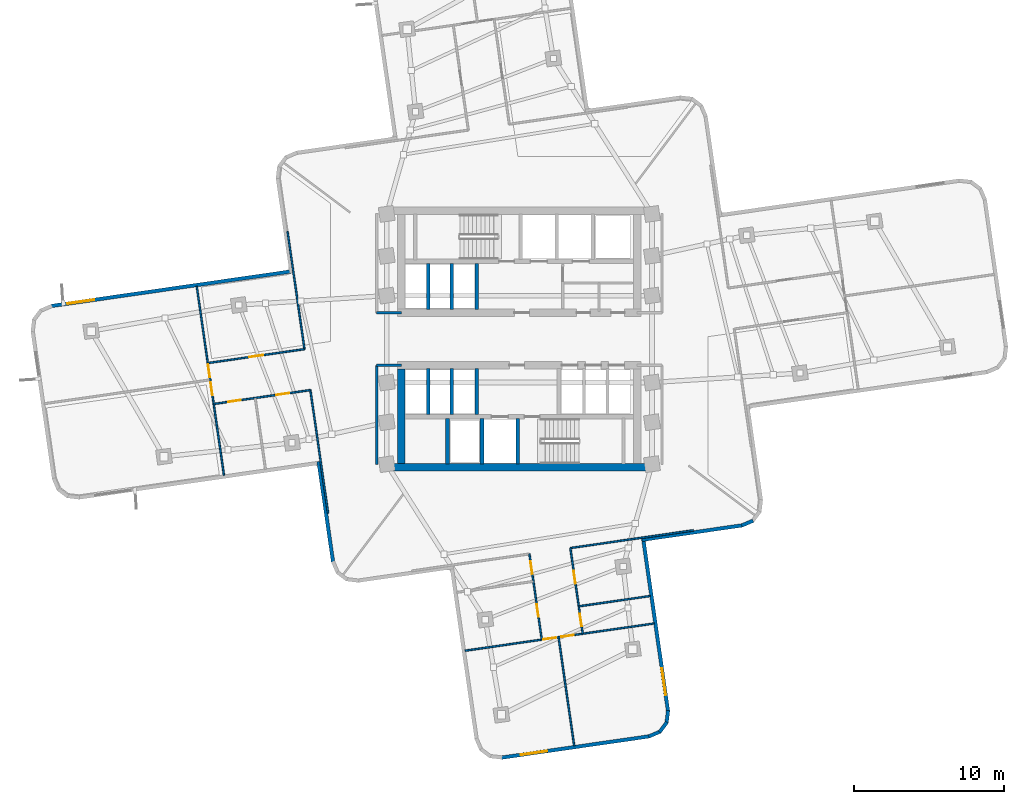
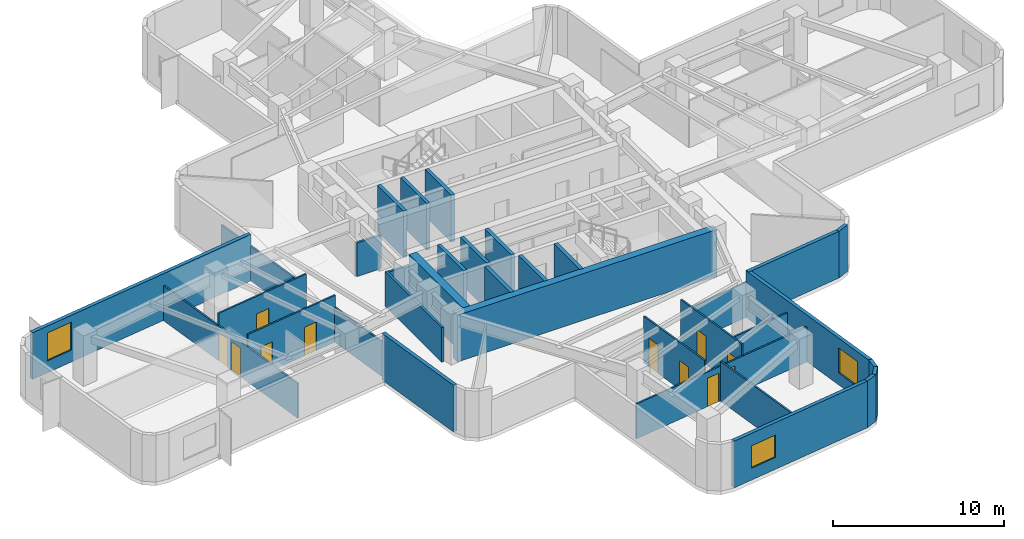
# One storey, part 3 of 10: 34 walls, 11 doors, 3 windows, 14 openings.
"""IFC4 building model written with IfcOpenShell, lengths in metres."""

from ifc_helpers import new_model, si_unit, direction, frame, frame_2d, origin, place, context, subcontext, project, spatial, rectangle, extrude, material, layer, layer_set, type_object, element, fill, save


model = new_model("IFC4")

# Units and contexts
model_context = context("Model", 3, precision=1e-05, world=origin(), true_north=direction((0.0, 1.0)))
body_context = subcontext(model_context, "Body", "Model", "MODEL_VIEW")
ifc_project = project(units=[si_unit("LENGTHUNIT", "METRE"), si_unit("AREAUNIT", "SQUARE_METRE"), si_unit("VOLUMEUNIT", "CUBIC_METRE"), si_unit("PLANEANGLEUNIT", "RADIAN"), si_unit("MASSUNIT", "GRAM", prefix="KILO")], contexts=[model_context])

# Site, building, storey
site_placement = place(None, origin())
site = spatial("IfcSite", under=ifc_project, at=site_placement, CompositionType="ELEMENT")
building_placement = place(site_placement, origin())
building = spatial("IfcBuilding", under=site, at=building_placement, Name="Solmarez Civic Tower", CompositionType="ELEMENT")
storey_placement = place(building_placement, frame((0.0, 0.0, 85.679931640625)))
storey = spatial("IfcBuildingStorey", under=building, at=storey_placement, Name="L22", CompositionType="ELEMENT", Elevation=85.679931640625)

# Walls
ifc_material_1 = material(Name="Concrete C60/75", Category="concrete")
ifc_layer_1 = layer(ifc_material_1, 0.5)
ifc_layer_set_1 = layer_set([ifc_layer_1], Name="Concrete C60/75")
wall_type_1 = type_object("IfcWallType", Name="WALL-CORE-500", PredefinedType="SHEAR", material=ifc_layer_set_1)
wall_1_placement = place(storey_placement, frame((8.780029296875, -8.56005859375, 0.0), z_axis=(0.0, 0.0, 1.0), x_axis=(-1.0, 0.0, 0.0)))
element("IfcWall", 1, at=wall_1_placement, inside=storey, type_object=wall_type_1, Name="L22 Split-Core Structural Wall SCW-S-L22", PredefinedType="SHEAR", context=body_context, shape_type="SweptSolid", body=[
    extrude(rectangle(XDim=17.56005859375, YDim=0.5, at=frame_2d((8.780029296875, 0.0))), origin(), (0.0, 0.0, 1.0), 3.340087890625),
])
wall_2_placement = place(storey_placement, frame((-7.8701171875, -8.31005859375, 0.0), z_axis=(0.0, 0.0, 1.0), x_axis=(0.0, 1.0, 0.0)))
element("IfcWall", 2, at=wall_2_placement, inside=storey, type_object=wall_type_1, Name="L22 Split-Core Structural Wall SCW-W-L22", PredefinedType="SHEAR", context=body_context, shape_type="SweptSolid", body=[
    extrude(rectangle(XDim=6.31005859375, YDim=0.5, at=frame_2d((3.155029296875, 0.0))), origin(), (0.0, 0.0, 1.0), 3.340087890625),
])

# Wall, opening, window
ifc_material_2 = material(Name="Precast concrete C40/50", Category="concrete")
ifc_layer_2 = layer(ifc_material_2, 0.239990234375)
ifc_layer_set_2 = layer_set([ifc_layer_2], Name="Precast concrete C40/50")
wall_type_2 = type_object("IfcWallType", Name="WALL-EXT-240", PredefinedType="SOLIDWALL", material=ifc_layer_set_2)
wall_3_placement = place(storey_placement, frame((-31.243896484375, 2.2060546875, 0.0), z_axis=(0.0, 0.0, 1.0), x_axis=(0.989771419035, 0.142662321802, 0.0)))
wall_3 = element("IfcWall", 3, at=wall_3_placement, inside=storey, type_object=wall_type_2, Name="L22 Exterior Precast Wall 10", PredefinedType="SOLIDWALL", context=body_context, shape_type="SweptSolid", body=[
    extrude(rectangle(XDim=16.2763671875, YDim=0.239990234375, at=frame_2d((8.13818359375, 0.0))), origin(), (0.0, 0.0, 1.0), 3.340087890625),
])
opening_1_placement = place(wall_3_placement, frame((1.10009765625, 0.0, 0.85009765625)))
opening_1 = element("IfcOpeningElement", 4, at=opening_1_placement, cuts=wall_3, Name="Opening W-04", PredefinedType="OPENING", context=body_context, shape_type="SweptSolid", body=[
    extrude(rectangle(XDim=1.800048828125, YDim=2.0, at=frame_2d((0.89990234375, 1.0))), frame((0.0, 0.1298828125, 0.0), z_axis=(0.0, -1.0, 0.0), x_axis=(1.0, 0.0, 0.0)), (0.0, 0.0, 1.0), 0.260009765625),
])
ifc_material_3 = material(Name="Solar Control Bronze-Tinted Insulating Glass", Category="glass")
window_type_1 = type_object("IfcWindowType", Name="WIN-1800X2000", PartitioningType="SINGLE_PANEL", PredefinedType="WINDOW", material=ifc_material_3)
window_1_placement = place(opening_1_placement, origin())
window_1 = element("IfcWindow", 5, at=window_1_placement, inside=storey, type_object=window_type_1, Name="L22 Exterior Facade Window 10", OverallHeight=2.0, OverallWidth=1.800048828125, PartitioningType="SINGLE_PANEL", PredefinedType="WINDOW", context=body_context, shape_type="SweptSolid", body=[
    extrude(rectangle(XDim=1.800048828125, YDim=2.0, at=frame_2d((0.89990234375, 1.0))), frame((0.0, 0.030029296875, 0.0), z_axis=(0.0, -1.0, 0.0), x_axis=(1.0, 0.0, 0.0)), (0.0, 0.0, 1.0), 0.06005859375),
])
fill(opening_1, window_1)

# Walls
wall_4_placement = place(storey_placement, frame((15.60009765625, -12.1201171875, 0.0), z_axis=(0.0, 0.0, 1.0), x_axis=(-0.918795004047, -0.394735025731, 0.0)))
element("IfcWall", 6, at=wall_4_placement, inside=storey, type_object=wall_type_2, Name="L22 Exterior Precast Wall 52", PredefinedType="SOLIDWALL", context=body_context, shape_type="SweptSolid", body=[
    extrude(rectangle(XDim=0.83056640625, YDim=0.239990234375, at=frame_2d((0.415283203125, 0.0))), origin(), (0.0, 0.0, 1.0), 3.340087890625),
])
wall_5_placement = place(storey_placement, frame((14.885009765625, -12.43408203125, 0.0), z_axis=(0.0, 0.0, 1.0), x_axis=(-0.989767068769, -0.142692500085, 0.0)))
element("IfcWall", 7, at=wall_5_placement, inside=storey, type_object=wall_type_2, Name="L22 Exterior Precast Wall 53", PredefinedType="SOLIDWALL", context=body_context, shape_type="SweptSolid", body=[
    extrude(rectangle(XDim=6.775390625, YDim=0.239990234375, at=frame_2d((3.3876953125, 0.0))), origin(), (0.0, 0.0, 1.0), 3.340087890625),
])

# Wall, opening, window
wall_6_placement = place(storey_placement, frame((8.260009765625, -13.2919921875, 0.0), z_axis=(0.0, 0.0, 1.0), x_axis=(0.142694701612, -0.989766751377, 0.0)))
wall_6 = element("IfcWall", 8, at=wall_6_placement, inside=storey, type_object=wall_type_2, Name="L22 Exterior Precast Wall 56", PredefinedType="SOLIDWALL", context=body_context, shape_type="SweptSolid", body=[
    extrude(rectangle(XDim=11.67529296875, YDim=0.239990234375, at=frame_2d((5.837646484375, 0.0))), origin(), (0.0, 0.0, 1.0), 3.340087890625),
])
opening_2_placement = place(wall_6_placement, frame((8.77490234375, 0.0, 0.85009765625)))
opening_2 = element("IfcOpeningElement", 9, at=opening_2_placement, cuts=wall_6, Name="Opening W-08", PredefinedType="OPENING", context=body_context, shape_type="SweptSolid", body=[
    extrude(rectangle(XDim=1.800048828125, YDim=1.800048828125, at=frame_2d((0.89990234375, 0.89990234375))), frame((0.0, 0.1298828125, 0.0), z_axis=(0.0, -1.0, 0.0), x_axis=(1.0, 0.0, 0.0)), (0.0, 0.0, 1.0), 0.260009765625),
])
window_type_2 = type_object("IfcWindowType", Name="WIN-1800X1800", PartitioningType="SINGLE_PANEL", PredefinedType="WINDOW", material=ifc_material_3)
window_2_placement = place(opening_2_placement, origin())
window_2 = element("IfcWindow", 10, at=window_2_placement, inside=storey, type_object=window_type_2, Name="L22 Exterior Facade Window 56", OverallHeight=1.800048828125, OverallWidth=1.800048828125, PartitioningType="SINGLE_PANEL", PredefinedType="WINDOW", context=body_context, shape_type="SweptSolid", body=[
    extrude(rectangle(XDim=1.800048828125, YDim=1.800048828125, at=frame_2d((0.89990234375, 0.89990234375))), frame((0.0, 0.030029296875, 0.0), z_axis=(0.0, -1.0, 0.0), x_axis=(1.0, 0.0, 0.0)), (0.0, 0.0, 1.0), 0.06005859375),
])
fill(opening_2, window_2)

# Walls
wall_7_placement = place(storey_placement, frame((9.925048828125, -24.798095703125, 0.0), z_axis=(0.0, 0.0, 1.0), x_axis=(-0.118136998224, -0.992997305963, 0.0)))
element("IfcWall", 11, at=wall_7_placement, inside=storey, type_object=wall_type_2, Name="L22 Exterior Precast Wall 57", PredefinedType="SOLIDWALL", context=body_context, shape_type="SweptSolid", body=[
    extrude(rectangle(XDim=0.830810546875, YDim=0.239990234375, at=frame_2d((0.41552734375, 0.0))), origin(), (0.0, 0.0, 1.0), 3.340087890625),
])
wall_8_placement = place(storey_placement, frame((9.844970703125, -25.577880859375, 0.0), z_axis=(0.0, 0.0, 1.0), x_axis=(-0.599759949003, -0.800179981986, 0.0)))
element("IfcWall", 12, at=wall_8_placement, inside=storey, type_object=wall_type_2, Name="L22 Exterior Precast Wall 58", PredefinedType="SOLIDWALL", context=body_context, shape_type="SweptSolid", body=[
    extrude(rectangle(XDim=0.813720703125, YDim=0.239990234375, at=frame_2d((0.40673828125, 0.0))), origin(), (0.0, 0.0, 1.0), 3.340087890625),
])
wall_9_placement = place(storey_placement, frame((9.39501953125, -26.198974609375, 0.0), z_axis=(0.0, 0.0, 1.0), x_axis=(-0.91864251547, -0.395089773053, 0.0)))
element("IfcWall", 13, at=wall_9_placement, inside=storey, type_object=wall_type_2, Name="L22 Exterior Precast Wall 59", PredefinedType="SOLIDWALL", context=body_context, shape_type="SweptSolid", body=[
    extrude(rectangle(XDim=0.83056640625, YDim=0.239990234375, at=frame_2d((0.415283203125, 0.0))), origin(), (0.0, 0.0, 1.0), 3.340087890625),
])

# Wall, opening, window
wall_10_placement = place(storey_placement, frame((8.679931640625, -26.512939453125, 0.0), z_axis=(0.0, 0.0, 1.0), x_axis=(-0.98976517122, -0.142705661552, 0.0)))
wall_10 = element("IfcWall", 14, at=wall_10_placement, inside=storey, type_object=wall_type_2, Name="L22 Exterior Precast Wall 60", PredefinedType="SOLIDWALL", context=body_context, shape_type="SweptSolid", body=[
    extrude(rectangle(XDim=9.97900390625, YDim=0.239990234375, at=frame_2d((4.989501953125, 0.0))), origin(), (0.0, 0.0, 1.0), 3.340087890625),
])
opening_3_placement = place(wall_10_placement, frame((6.884033203125, 0.0, 0.85009765625)))
opening_3 = element("IfcOpeningElement", 15, at=opening_3_placement, cuts=wall_10, Name="Opening W-12", PredefinedType="OPENING", context=body_context, shape_type="SweptSolid", body=[
    extrude(rectangle(XDim=1.800048828125, YDim=1.60009765625, at=frame_2d((0.89990234375, 0.800048828125))), frame((0.0, 0.1298828125, 0.0), z_axis=(0.0, -1.0, 0.0), x_axis=(1.0, 0.0, 0.0)), (0.0, 0.0, 1.0), 0.260009765625),
])
window_type_3 = type_object("IfcWindowType", Name="WIN-1800X1600", PartitioningType="SINGLE_PANEL", PredefinedType="WINDOW", material=ifc_material_3)
window_3_placement = place(opening_3_placement, origin())
window_3 = element("IfcWindow", 16, at=window_3_placement, inside=storey, type_object=window_type_3, Name="L22 Exterior Facade Window 60", OverallHeight=1.60009765625, OverallWidth=1.800048828125, PartitioningType="SINGLE_PANEL", PredefinedType="WINDOW", context=body_context, shape_type="SweptSolid", body=[
    extrude(rectangle(XDim=1.800048828125, YDim=1.60009765625, at=frame_2d((0.89990234375, 0.800048828125))), frame((0.0, 0.030029296875, 0.0), z_axis=(0.0, -1.0, 0.0), x_axis=(1.0, 0.0, 0.0)), (0.0, 0.0, 1.0), 0.06005859375),
])
fill(opening_3, window_3)

# Walls
wall_11_placement = place(storey_placement, frame((-12.43408203125, -14.885009765625, 0.0), z_axis=(0.0, 0.0, 1.0), x_axis=(-0.142692500085, 0.989767068769, 0.0)))
element("IfcWall", 17, at=wall_11_placement, inside=storey, type_object=wall_type_2, Name="L22 Exterior Precast Wall 71", PredefinedType="SOLIDWALL", context=body_context, shape_type="SweptSolid", body=[
    extrude(rectangle(XDim=6.775390625, YDim=0.239990234375, at=frame_2d((3.3876953125, 0.0))), origin(), (0.0, 0.0, 1.0), 3.340087890625),
])
ifc_material_4 = material(Name="Gypsum Board Acoustic Steel-Stud Partition", Category="steel")
ifc_layer_3 = layer(ifc_material_4, 0.14990234375)
ifc_layer_set_3 = layer_set([ifc_layer_3], Name="Gypsum Board Acoustic Steel-Stud Partition")
wall_type_3 = type_object("IfcWallType", Name="WALL-INT-FIRE-150", PredefinedType="PARTITIONING", material=ifc_layer_set_3)
wall_12_placement = place(storey_placement, frame((-7.85009765625, 1.75, 0.0), z_axis=(0.0, 0.0, 1.0), x_axis=(-1.0, 0.0, 0.0)))
element("IfcWall", 18, at=wall_12_placement, inside=storey, type_object=wall_type_3, Name="L22 Interior Partition CHW-L22-WN3", PredefinedType="PARTITIONING", context=body_context, shape_type="SweptSolid", body=[
    extrude(rectangle(XDim=1.669921875, YDim=0.14990234375, at=frame_2d((0.8349609375, 0.0))), origin(), (0.0, 0.0, 1.0), 2.405029296875),
])
wall_13_placement = place(storey_placement, frame((-9.52001953125, -8.3798828125, 0.0), z_axis=(0.0, 0.0, 1.0), x_axis=(0.0, 1.0, 0.0)))
element("IfcWall", 19, at=wall_13_placement, inside=storey, type_object=wall_type_3, Name="L22 Interior Partition CHW-L22-WS1", PredefinedType="PARTITIONING", context=body_context, shape_type="SweptSolid", body=[
    extrude(rectangle(XDim=6.6298828125, YDim=0.14990234375, at=frame_2d((3.31494140625, 0.0))), origin(), (0.0, 0.0, 1.0), 2.486083984375),
])
wall_14_placement = place(storey_placement, frame((-7.85009765625, -1.75, 0.0), z_axis=(0.0, 0.0, 1.0), x_axis=(-1.0, 0.0, 0.0)))
element("IfcWall", 20, at=wall_14_placement, inside=storey, type_object=wall_type_3, Name="L22 Interior Partition CHW-L22-WS3", PredefinedType="PARTITIONING", context=body_context, shape_type="SweptSolid", body=[
    extrude(rectangle(XDim=1.669921875, YDim=0.14990234375, at=frame_2d((0.8349609375, 0.0))), origin(), (0.0, 0.0, 1.0), 2.405029296875),
])
ifc_layer_4 = layer(ifc_material_4, 0.110107421875)
ifc_layer_set_4 = layer_set([ifc_layer_4], Name="Gypsum Board Acoustic Steel-Stud Partition")
wall_type_4 = type_object("IfcWallType", Name="WALL-INT-PART-110", PredefinedType="PARTITIONING", material=ifc_layer_set_4)
wall_15_placement = place(storey_placement, frame((-13.948974609375, -3.39404296875, 0.0), z_axis=(0.0, 0.0, 1.0), x_axis=(0.142725091033, -0.989762369657, 0.0)))
element("IfcWall", 21, at=wall_15_placement, inside=storey, type_object=wall_type_4, Name="L22 Interior Partition PT-L22-W-EFL", PredefinedType="PARTITIONING", context=body_context, shape_type="SweptSolid", body=[
    extrude(rectangle(XDim=8.309814453125, YDim=0.110107421875, at=frame_2d((4.15478515625, 0.0))), origin(), (0.0, 0.0, 1.0), 2.486083984375),
])
wall_16_placement = place(storey_placement, frame((-15.47412109375, 7.18603515625, 0.0), z_axis=(0.0, 0.0, 1.0), x_axis=(0.142779920322, -0.989754461648, 0.0)))
element("IfcWall", 22, at=wall_16_placement, inside=storey, type_object=wall_type_4, Name="L22 Interior Partition PT-L22-W-EFR", PredefinedType="PARTITIONING", context=body_context, shape_type="SweptSolid", body=[
    extrude(rectangle(XDim=7.949462890625, YDim=0.110107421875, at=frame_2d((3.974609375, 0.0))), origin(), (0.0, 0.0, 1.0), 2.486083984375),
])

# Wall, openings, doors
wall_17_placement = place(storey_placement, frame((-20.39990234375, -4.333984375, 0.0), z_axis=(0.0, 0.0, 1.0), x_axis=(0.989774990044, 0.142637544439, 0.0)))
wall_17 = element("IfcWall", 23, at=wall_17_placement, inside=storey, type_object=wall_type_4, Name="L22 Interior Partition PT-L22-W-SL", PredefinedType="PARTITIONING", context=body_context, shape_type="SweptSolid", body=[
    extrude(rectangle(XDim=6.51953125, YDim=0.110107421875, at=frame_2d((3.259765625, 0.0))), origin(), (0.0, 0.0, 1.0), 3.340087890625),
])
opening_4_placement = place(wall_17_placement, frame((4.22998046875, 0.0, 0.0)))
opening_4 = element("IfcOpeningElement", 24, at=opening_4_placement, cuts=wall_17, Name="Opening D-14", PredefinedType="OPENING", context=body_context, shape_type="SweptSolid", body=[
    extrude(rectangle(XDim=0.860107421875, YDim=2.0400390625, at=frame_2d((0.43017578125, 1.02001953125))), frame((0.0, 0.06494140625, 0.0), z_axis=(0.0, -1.0, 0.0), x_axis=(1.0, 0.0, 0.0)), (0.0, 0.0, 1.0), 0.130126953125),
])
opening_5_placement = place(wall_17_placement, frame((0.969970703125, 0.0, 0.0)))
opening_5 = element("IfcOpeningElement", 25, at=opening_5_placement, cuts=wall_17, Name="Opening D-14", PredefinedType="OPENING", context=body_context, shape_type="SweptSolid", body=[
    extrude(rectangle(XDim=0.860107421875, YDim=2.0400390625, at=frame_2d((0.43017578125, 1.02001953125))), frame((0.0, 0.06494140625, 0.0), z_axis=(0.0, -1.0, 0.0), x_axis=(1.0, 0.0, 0.0)), (0.0, 0.0, 1.0), 0.130126953125),
])
ifc_material_5 = material(Name="Timber Storage and Pantry Door", Category="wood")
door_type_1 = type_object("IfcDoorType", Name="DOOR-INT-850", OperationType="NOTDEFINED", PredefinedType="DOOR", material=ifc_material_5)
door_1_placement = place(opening_4_placement, origin())
door_1 = element("IfcDoor", 26, at=door_1_placement, inside=storey, type_object=door_type_1, Name="L22 Protocol Reception Room First West Door", OperationType="SINGLE_SWING_LEFT", OverallHeight=2.0400390625, OverallWidth=0.860107421875, PredefinedType="DOOR", context=body_context, shape_type="SweptSolid", body=[
    extrude(rectangle(XDim=0.860107421875, YDim=2.0400390625, at=frame_2d((0.43017578125, 1.02001953125))), frame((0.0, 0.02490234375, 0.0), z_axis=(0.0, -1.0, 0.0), x_axis=(1.0, 0.0, 0.0)), (0.0, 0.0, 1.0), 0.050048828125),
])
fill(opening_4, door_1)
door_2_placement = place(opening_5_placement, origin())
door_2 = element("IfcDoor", 27, at=door_2_placement, inside=storey, type_object=door_type_1, Name="L22 Security Control Room Second West Door", OperationType="SINGLE_SWING_RIGHT", OverallHeight=2.0400390625, OverallWidth=0.860107421875, PredefinedType="DOOR", context=body_context, shape_type="SweptSolid", body=[
    extrude(rectangle(XDim=0.860107421875, YDim=2.0400390625, at=frame_2d((0.43017578125, 1.02001953125))), frame((0.0, 0.02490234375, 0.0), z_axis=(0.0, -1.0, 0.0), x_axis=(1.0, 0.0, 0.0)), (0.0, 0.0, 1.0), 0.050048828125),
])
fill(opening_5, door_2)

# Wall, opening, door
wall_18_placement = place(storey_placement, frame((-14.341064453125, -0.672119140625, 0.0), z_axis=(0.0, 0.0, 1.0), x_axis=(-0.989774990044, -0.142637544439, 0.0)))
wall_18 = element("IfcWall", 28, at=wall_18_placement, inside=storey, type_object=wall_type_4, Name="L22 Interior Partition PT-L22-W-SR", PredefinedType="PARTITIONING", context=body_context, shape_type="SweptSolid", body=[
    extrude(rectangle(XDim=6.51953125, YDim=0.110107421875, at=frame_2d((3.259765625, 0.0))), origin(), (0.0, 0.0, 1.0), 3.340087890625),
])
opening_6_placement = place(wall_18_placement, frame((2.780029296875, 0.0, 0.0)))
opening_6 = element("IfcOpeningElement", 29, at=opening_6_placement, cuts=wall_18, Name="Opening D-10", PredefinedType="OPENING", context=body_context, shape_type="SweptSolid", body=[
    extrude(rectangle(XDim=0.949951171875, YDim=2.080078125, at=frame_2d((0.47509765625, 1.0400390625))), frame((0.0, 0.06494140625, 0.0), z_axis=(0.0, -1.0, 0.0), x_axis=(1.0, 0.0, 0.0)), (0.0, 0.0, 1.0), 0.130126953125),
])
ifc_material_6 = material(Name="Solid-Core Timber Ministry Office Door", Category="wood")
door_type_2 = type_object("IfcDoorType", Name="DOOR-INT-950", OperationType="NOTDEFINED", PredefinedType="DOOR", material=ifc_material_6)
door_3_placement = place(opening_6_placement, origin())
door_3 = element("IfcDoor", 30, at=door_3_placement, inside=storey, type_object=door_type_2, Name="L22 Executive Boardroom Third West Door", OperationType="SINGLE_SWING_RIGHT", OverallHeight=2.080078125, OverallWidth=0.949951171875, PredefinedType="DOOR", context=body_context, shape_type="SweptSolid", body=[
    extrude(rectangle(XDim=0.949951171875, YDim=2.080078125, at=frame_2d((0.47509765625, 1.0400390625))), frame((0.0, 0.02490234375, 0.0), z_axis=(0.0, -1.0, 0.0), x_axis=(1.0, 0.0, 0.0)), (0.0, 0.0, 1.0), 0.050048828125),
])
fill(opening_6, door_3)

# Wall, openings, doors
wall_19_placement = place(storey_placement, frame((-19.712890625, -9.10009765625, 0.0), z_axis=(0.0, 0.0, 1.0), x_axis=(-0.142667743944, 0.98977063749, 0.0)))
wall_19 = element("IfcWall", 31, at=wall_19_placement, inside=storey, type_object=wall_type_4, Name="L22 Interior Partition PT-L22-W-END", PredefinedType="PARTITIONING", context=body_context, shape_type="SweptSolid", body=[
    extrude(rectangle(XDim=12.75048828125, YDim=0.110107421875, at=frame_2d((6.375244140625, 0.0))), origin(), (0.0, 0.0, 1.0), 2.486083984375),
])
opening_7_placement = place(wall_19_placement, frame((6.614990234375, 0.0, 0.0)))
opening_7 = element("IfcOpeningElement", 32, at=opening_7_placement, cuts=wall_19, Name="Opening D-14", PredefinedType="OPENING", context=body_context, shape_type="SweptSolid", body=[
    extrude(rectangle(XDim=0.860107421875, YDim=2.0400390625, at=frame_2d((0.43017578125, 1.02001953125))), frame((0.0, 0.06494140625, 0.0), z_axis=(0.0, -1.0, 0.0), x_axis=(1.0, 0.0, 0.0)), (0.0, 0.0, 1.0), 0.130126953125),
])
opening_8_placement = place(wall_19_placement, frame((5.4140625, 0.0, 0.0)))
opening_8 = element("IfcOpeningElement", 33, at=opening_8_placement, cuts=wall_19, Name="Opening D-14", PredefinedType="OPENING", context=body_context, shape_type="SweptSolid", body=[
    extrude(rectangle(XDim=0.860107421875, YDim=2.0400390625, at=frame_2d((0.43017578125, 1.02001953125))), frame((0.0, 0.06494140625, 0.0), z_axis=(0.0, -1.0, 0.0), x_axis=(1.0, 0.0, 0.0)), (0.0, 0.0, 1.0), 0.130126953125),
])
door_4_placement = place(opening_7_placement, origin())
door_4 = element("IfcDoor", 34, at=door_4_placement, inside=storey, type_object=door_type_1, Name="L22 Diplomatic Sitting Lounge Sixth West Door", OperationType="SINGLE_SWING_RIGHT", OverallHeight=2.0400390625, OverallWidth=0.860107421875, PredefinedType="DOOR", context=body_context, shape_type="SweptSolid", body=[
    extrude(rectangle(XDim=0.860107421875, YDim=2.0400390625, at=frame_2d((0.43017578125, 1.02001953125))), frame((0.0, 0.02490234375, 0.0), z_axis=(0.0, -1.0, 0.0), x_axis=(1.0, 0.0, 0.0)), (0.0, 0.0, 1.0), 0.050048828125),
])
fill(opening_7, door_4)
door_5_placement = place(opening_8_placement, origin())
door_5 = element("IfcDoor", 35, at=door_5_placement, inside=storey, type_object=door_type_1, Name="L22 Executive Boardroom Fifth West Door", OperationType="SINGLE_SWING_LEFT", OverallHeight=2.0400390625, OverallWidth=0.860107421875, PredefinedType="DOOR", context=body_context, shape_type="SweptSolid", body=[
    extrude(rectangle(XDim=0.860107421875, YDim=2.0400390625, at=frame_2d((0.43017578125, 1.02001953125))), frame((0.0, 0.02490234375, 0.0), z_axis=(0.0, -1.0, 0.0), x_axis=(1.0, 0.0, 0.0)), (0.0, 0.0, 1.0), 0.050048828125),
])
fill(opening_8, door_5)

# Walls
wall_20_placement = place(storey_placement, frame((3.39404296875, -13.948974609375, 0.0), z_axis=(0.0, 0.0, 1.0), x_axis=(0.989762369657, 0.142725091033, 0.0)))
element("IfcWall", 36, at=wall_20_placement, inside=storey, type_object=wall_type_4, Name="L22 Interior Partition PT-L22-S-EFL", PredefinedType="PARTITIONING", context=body_context, shape_type="SweptSolid", body=[
    extrude(rectangle(XDim=8.309814453125, YDim=0.110107421875, at=frame_2d((4.15478515625, 0.0))), origin(), (0.0, 0.0, 1.0), 2.486083984375),
])
wall_21_placement = place(storey_placement, frame((3.98388671875, -17.833984375, 0.0), z_axis=(0.0, 0.0, 1.0), x_axis=(0.989771535394, 0.142661514515, 0.0)))
element("IfcWall", 37, at=wall_21_placement, inside=storey, type_object=wall_type_4, Name="L22 Interior Partition PT-L22-S-LM", PredefinedType="PARTITIONING", context=body_context, shape_type="SweptSolid", body=[
    extrude(rectangle(XDim=4.795166015625, YDim=0.110107421875, at=frame_2d((2.3974609375, 0.0))), origin(), (0.0, 0.0, 1.0), 2.486083984375),
])

# Wall, openings, doors
wall_22_placement = place(storey_placement, frame((4.22802734375, -19.66796875, 0.0), z_axis=(0.0, 0.0, 1.0), x_axis=(-0.142556647725, 0.989786644782, 0.0)))
wall_22 = element("IfcWall", 38, at=wall_22_placement, inside=storey, type_object=wall_type_4, Name="L22 Interior Partition PT-L22-S-SL", PredefinedType="PARTITIONING", context=body_context, shape_type="SweptSolid", body=[
    extrude(rectangle(XDim=5.780029296875, YDim=0.110107421875, at=frame_2d((2.89013671875, 0.0))), origin(), (0.0, 0.0, 1.0), 3.340087890625),
])
opening_9_placement = place(wall_22_placement, frame((3.385009765625, 0.0, 0.0)))
opening_9 = element("IfcOpeningElement", 39, at=opening_9_placement, cuts=wall_22, Name="Opening D-14", PredefinedType="OPENING", context=body_context, shape_type="SweptSolid", body=[
    extrude(rectangle(XDim=0.860107421875, YDim=2.0400390625, at=frame_2d((0.43017578125, 1.02001953125))), frame((0.0, 0.06494140625, 0.0), z_axis=(0.0, -1.0, 0.0), x_axis=(1.0, 0.0, 0.0)), (0.0, 0.0, 1.0), 0.130126953125),
])
opening_10_placement = place(wall_22_placement, frame((0.4951171875, 0.0, 0.0)))
opening_10 = element("IfcOpeningElement", 40, at=opening_10_placement, cuts=wall_22, Name="Opening D-14", PredefinedType="OPENING", context=body_context, shape_type="SweptSolid", body=[
    extrude(rectangle(XDim=0.860107421875, YDim=2.0400390625, at=frame_2d((0.43017578125, 1.02001953125))), frame((0.0, 0.06494140625, 0.0), z_axis=(0.0, -1.0, 0.0), x_axis=(1.0, 0.0, 0.0)), (0.0, 0.0, 1.0), 0.130126953125),
])
door_6_placement = place(opening_9_placement, origin())
door_6 = element("IfcDoor", 41, at=door_6_placement, inside=storey, type_object=door_type_1, Name="L22 Security Control Room First South Door", OperationType="SINGLE_SWING_LEFT", OverallHeight=2.0400390625, OverallWidth=0.860107421875, PredefinedType="DOOR", context=body_context, shape_type="SweptSolid", body=[
    extrude(rectangle(XDim=0.860107421875, YDim=2.0400390625, at=frame_2d((0.43017578125, 1.02001953125))), frame((0.0, 0.02490234375, 0.0), z_axis=(0.0, -1.0, 0.0), x_axis=(1.0, 0.0, 0.0)), (0.0, 0.0, 1.0), 0.050048828125),
])
fill(opening_9, door_6)
door_7_placement = place(opening_10_placement, origin())
door_7 = element("IfcDoor", 42, at=door_7_placement, inside=storey, type_object=door_type_1, Name="L22 Executive Boardroom Second South Door", OperationType="SINGLE_SWING_RIGHT", OverallHeight=2.0400390625, OverallWidth=0.860107421875, PredefinedType="DOOR", context=body_context, shape_type="SweptSolid", body=[
    extrude(rectangle(XDim=0.860107421875, YDim=2.0400390625, at=frame_2d((0.43017578125, 1.02001953125))), frame((0.0, 0.02490234375, 0.0), z_axis=(0.0, -1.0, 0.0), x_axis=(1.0, 0.0, 0.0)), (0.0, 0.0, 1.0), 0.050048828125),
])
fill(opening_10, door_7)

wall_23_placement = place(storey_placement, frame((0.672119140625, -14.341064453125, 0.0), z_axis=(0.0, 0.0, 1.0), x_axis=(0.142722164178, -0.989762791709, 0.0)))
wall_23 = element("IfcWall", 43, at=wall_23_placement, inside=storey, type_object=wall_type_4, Name="L22 Interior Partition PT-L22-S-SR", PredefinedType="PARTITIONING", context=body_context, shape_type="SweptSolid", body=[
    extrude(rectangle(XDim=5.780029296875, YDim=0.110107421875, at=frame_2d((2.89013671875, 0.0))), origin(), (0.0, 0.0, 1.0), 3.340087890625),
])
opening_11_placement = place(wall_23_placement, frame((0.4951171875, 0.0, 0.0)))
opening_11 = element("IfcOpeningElement", 44, at=opening_11_placement, cuts=wall_23, Name="Opening D-14", PredefinedType="OPENING", context=body_context, shape_type="SweptSolid", body=[
    extrude(rectangle(XDim=0.860107421875, YDim=2.0400390625, at=frame_2d((0.43017578125, 1.02001953125))), frame((0.0, 0.06494140625, 0.0), z_axis=(0.0, -1.0, 0.0), x_axis=(1.0, 0.0, 0.0)), (0.0, 0.0, 1.0), 0.130126953125),
])
opening_12_placement = place(wall_23_placement, frame((3.385009765625, 0.0, 0.0)))
opening_12 = element("IfcOpeningElement", 45, at=opening_12_placement, cuts=wall_23, Name="Opening D-14", PredefinedType="OPENING", context=body_context, shape_type="SweptSolid", body=[
    extrude(rectangle(XDim=0.860107421875, YDim=2.0400390625, at=frame_2d((0.43017578125, 1.02001953125))), frame((0.0, 0.06494140625, 0.0), z_axis=(0.0, -1.0, 0.0), x_axis=(1.0, 0.0, 0.0)), (0.0, 0.0, 1.0), 0.130126953125),
])
door_8_placement = place(opening_11_placement, origin())
door_8 = element("IfcDoor", 46, at=door_8_placement, inside=storey, type_object=door_type_1, Name="L22 Diplomatic Sitting Lounge Third South Door", OperationType="SINGLE_SWING_RIGHT", OverallHeight=2.0400390625, OverallWidth=0.860107421875, PredefinedType="DOOR", context=body_context, shape_type="SweptSolid", body=[
    extrude(rectangle(XDim=0.860107421875, YDim=2.0400390625, at=frame_2d((0.43017578125, 1.02001953125))), frame((0.0, 0.02490234375, 0.0), z_axis=(0.0, -1.0, 0.0), x_axis=(1.0, 0.0, 0.0)), (0.0, 0.0, 1.0), 0.050048828125),
])
fill(opening_11, door_8)
door_9_placement = place(opening_12_placement, origin())
door_9 = element("IfcDoor", 47, at=door_9_placement, inside=storey, type_object=door_type_1, Name="L22 Protocol Reception Room Fourth South Door", OperationType="SINGLE_SWING_LEFT", OverallHeight=2.0400390625, OverallWidth=0.860107421875, PredefinedType="DOOR", context=body_context, shape_type="SweptSolid", body=[
    extrude(rectangle(XDim=0.860107421875, YDim=2.0400390625, at=frame_2d((0.43017578125, 1.02001953125))), frame((0.0, 0.02490234375, 0.0), z_axis=(0.0, -1.0, 0.0), x_axis=(1.0, 0.0, 0.0)), (0.0, 0.0, 1.0), 0.050048828125),
])
fill(opening_12, door_9)

# Wall
wall_24_placement = place(storey_placement, frame((2.6240234375, -19.9599609375, 0.0), z_axis=(0.0, 0.0, 1.0), x_axis=(0.142583297559, -0.989782806103, 0.0)))
element("IfcWall", 48, at=wall_24_placement, inside=storey, type_object=wall_type_4, Name="L22 Interior Partition PT-L22-S-TM", PredefinedType="PARTITIONING", context=body_context, shape_type="SweptSolid", body=[
    extrude(rectangle(XDim=7.26513671875, YDim=0.110107421875, at=frame_2d((3.632568359375, 0.0))), origin(), (0.0, 0.0, 1.0), 2.83203125),
])

# Wall, openings, doors
wall_25_placement = place(storey_placement, frame((8.993896484375, -18.98095703125, 0.0), z_axis=(0.0, 0.0, 1.0), x_axis=(-0.989779502996, -0.14260622514, 0.0)))
wall_25 = element("IfcWall", 49, at=wall_25_placement, inside=storey, type_object=wall_type_4, Name="L22 Interior Partition PT-L22-S-END", PredefinedType="PARTITIONING", context=body_context, shape_type="SweptSolid", body=[
    extrude(rectangle(XDim=12.749267578125, YDim=0.110107421875, at=frame_2d((6.37451171875, 0.0))), origin(), (0.0, 0.0, 1.0), 2.486083984375),
])
opening_13_placement = place(wall_25_placement, frame((6.614990234375, 0.0, 0.0)))
opening_13 = element("IfcOpeningElement", 50, at=opening_13_placement, cuts=wall_25, Name="Opening D-14", PredefinedType="OPENING", context=body_context, shape_type="SweptSolid", body=[
    extrude(rectangle(XDim=0.860107421875, YDim=2.0400390625, at=frame_2d((0.43017578125, 1.02001953125))), frame((0.0, 0.06494140625, 0.0), z_axis=(0.0, -1.0, 0.0), x_axis=(1.0, 0.0, 0.0)), (0.0, 0.0, 1.0), 0.130126953125),
])
opening_14_placement = place(wall_25_placement, frame((5.4150390625, 0.0, 0.0)))
opening_14 = element("IfcOpeningElement", 51, at=opening_14_placement, cuts=wall_25, Name="Opening D-14", PredefinedType="OPENING", context=body_context, shape_type="SweptSolid", body=[
    extrude(rectangle(XDim=0.860107421875, YDim=2.0400390625, at=frame_2d((0.43017578125, 1.02001953125))), frame((0.0, 0.06494140625, 0.0), z_axis=(0.0, -1.0, 0.0), x_axis=(1.0, 0.0, 0.0)), (0.0, 0.0, 1.0), 0.130126953125),
])
door_10_placement = place(opening_13_placement, origin())
door_10 = element("IfcDoor", 52, at=door_10_placement, inside=storey, type_object=door_type_1, Name="L22 Protocol Reception Room Sixth South Door", OperationType="SINGLE_SWING_RIGHT", OverallHeight=2.0400390625, OverallWidth=0.860107421875, PredefinedType="DOOR", context=body_context, shape_type="SweptSolid", body=[
    extrude(rectangle(XDim=0.860107421875, YDim=2.0400390625, at=frame_2d((0.43017578125, 1.02001953125))), frame((0.0, 0.02490234375, 0.0), z_axis=(0.0, -1.0, 0.0), x_axis=(1.0, 0.0, 0.0)), (0.0, 0.0, 1.0), 0.050048828125),
])
fill(opening_13, door_10)
door_11_placement = place(opening_14_placement, origin())
door_11 = element("IfcDoor", 53, at=door_11_placement, inside=storey, type_object=door_type_1, Name="L22 Diplomatic Sitting Lounge Fifth South Door", OperationType="SINGLE_SWING_LEFT", OverallHeight=2.0400390625, OverallWidth=0.860107421875, PredefinedType="DOOR", context=body_context, shape_type="SweptSolid", body=[
    extrude(rectangle(XDim=0.860107421875, YDim=2.0400390625, at=frame_2d((0.43017578125, 1.02001953125))), frame((0.0, 0.02490234375, 0.0), z_axis=(0.0, -1.0, 0.0), x_axis=(1.0, 0.0, 0.0)), (0.0, 0.0, 1.0), 0.050048828125),
])
fill(opening_14, door_11)

# Walls
ifc_material_7 = material(Name="Concrete C50/60", Category="concrete")
ifc_layer_5 = layer(ifc_material_7, 0.300048828125)
ifc_layer_set_5 = layer_set([ifc_layer_5], Name="Concrete C50/60")
wall_type_5 = type_object("IfcWallType", Name="WALL-STR-300", PredefinedType="SOLIDWALL", material=ifc_layer_set_5)
wall_26_placement = place(storey_placement, frame((-2.85009765625, 1.97998046875, 0.0), z_axis=(0.0, 0.0, 1.0), x_axis=(0.0, 1.0, 0.0)))
element("IfcWall", 54, at=wall_26_placement, inside=storey, type_object=wall_type_5, Name="L22 Split-Core Structural Wall SHW-NL1-L22", PredefinedType="SOLIDWALL", context=body_context, shape_type="SweptSolid", body=[
    extrude(rectangle(XDim=3.070068359375, YDim=0.25, at=frame_2d((1.53515625, 0.0))), origin(), (0.0, 0.0, 1.0), 3.340087890625),
])
for number, where, z_axis, x_axis, name in (
    (55, (-0.10009765625, -8.340087890625, 0.0), (0.0, 0.0, 1.0), (0.0, 1.0, 0.0), "L22 Split-Core Structural Wall SHW-S1-L22"),
    (56, (-2.5, -8.340087890625, 0.0), (0.0, 0.0, 1.0), (0.0, 1.0, 0.0), "L22 Split-Core Structural Wall SHW-S2-L22"),
    (57, (-4.800048828125, -8.340087890625, 0.0), (0.0, 0.0, 1.0), (0.0, 1.0, 0.0), "L22 Split-Core Structural Wall SHW-S3-L22"),
):
    element("IfcWall", number, at=place(storey_placement, frame(where, z_axis=z_axis, x_axis=x_axis)), inside=storey, type_object=wall_type_5, Name=name, PredefinedType="SOLIDWALL", context=body_context, shape_type="SweptSolid", body=[
        extrude(rectangle(XDim=3.0400390625, YDim=0.25, at=frame_2d((1.52001953125, 0.0))), origin(), (0.0, 0.0, 1.0), 3.340087890625),
    ])
wall_27_placement = place(storey_placement, frame((-2.85009765625, -5.050048828125, 0.0), z_axis=(0.0, 0.0, 1.0), x_axis=(0.0, 1.0, 0.0)))
element("IfcWall", 58, at=wall_27_placement, inside=storey, type_object=wall_type_5, Name="L22 Split-Core Structural Wall SHW-SL1-L22", PredefinedType="SOLIDWALL", context=body_context, shape_type="SweptSolid", body=[
    extrude(rectangle(XDim=3.070068359375, YDim=0.25, at=frame_2d((1.53515625, 0.0))), origin(), (0.0, 0.0, 1.0), 3.340087890625),
])
for number, where, z_axis, x_axis, name in (
    (59, (-6.080078125, 1.97998046875, 0.0), (0.0, 0.0, 1.0), (0.0, 1.0, 0.0), "L22 Split-Core Structural Wall SHW-PLH-L22-1"),
    (60, (-4.52001953125, 1.97998046875, 0.0), (0.0, 0.0, 1.0), (0.0, 1.0, 0.0), "L22 Split-Core Structural Wall SHW-PLH-L22-2"),
    (61, (-6.080078125, -5.050048828125, 0.0), (0.0, 0.0, 1.0), (0.0, 1.0, 0.0), "L22 Split-Core Structural Wall SHW-PLM-L22-1"),
    (62, (-4.52001953125, -5.050048828125, 0.0), (0.0, 0.0, 1.0), (0.0, 1.0, 0.0), "L22 Split-Core Structural Wall SHW-PLM-L22-2"),
):
    element("IfcWall", number, at=place(storey_placement, frame(where, z_axis=z_axis, x_axis=x_axis)), inside=storey, type_object=wall_type_5, Name=name, PredefinedType="SOLIDWALL", context=body_context, shape_type="SweptSolid", body=[
        extrude(rectangle(XDim=3.070068359375, YDim=0.219970703125, at=frame_2d((1.53515625, 0.0))), origin(), (0.0, 0.0, 1.0), 3.340087890625),
    ])

save(model, "model.ifc")
